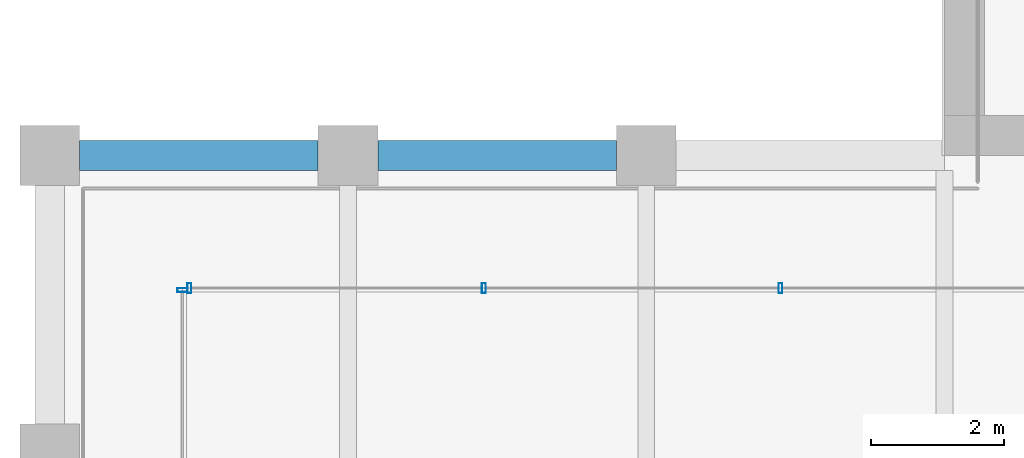
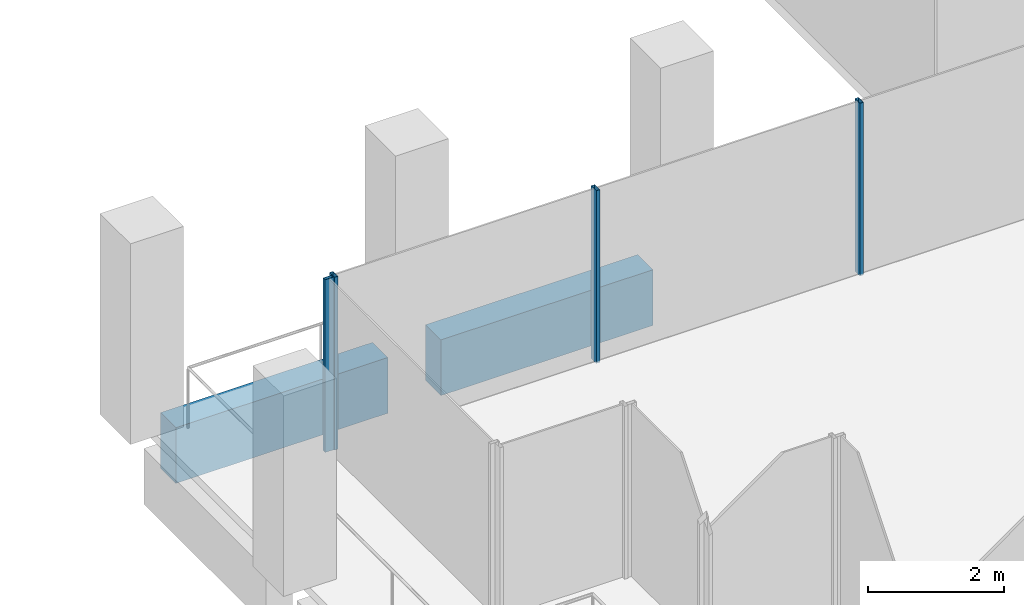
# One storey, part 5 of 40: 4 members, 2 beams, 2 elements without a shape of their own.
"""IFC4 building model written with IfcOpenShell, lengths in metres."""

from ifc_helpers import new_model, si_unit, direction, frame, origin, origin_2d, place, context, subcontext, project, spatial, rectangle, hollow_rectangle, extrude, material, material_profile, profile_set, type_object, element, aggregate, save


model = new_model("IFC4")

# Units and contexts
model_context = context("Model", 3, precision=1e-05, world=origin(), true_north=direction((0.0, 1.0)))
body_context = subcontext(model_context, "Body", "Model", "MODEL_VIEW")
ifc_project = project(units=[si_unit("LENGTHUNIT", "METRE"), si_unit("AREAUNIT", "SQUARE_METRE"), si_unit("VOLUMEUNIT", "CUBIC_METRE"), si_unit("PLANEANGLEUNIT", "RADIAN"), si_unit("MASSUNIT", "GRAM", prefix="KILO")], contexts=[model_context])

# Site, building, storey
site_placement = place(None, origin())
site = spatial("IfcSite", under=ifc_project, at=site_placement, CompositionType="ELEMENT")
building_placement = place(site_placement, origin())
building = spatial("IfcBuilding", under=site, at=building_placement, Name="Altepetl Exchange Towers", CompositionType="ELEMENT")
storey_placement = place(building_placement, frame((0.0, 0.0, 165.39990234375)))
storey = spatial("IfcBuildingStorey", under=building, at=storey_placement, Name="L41", CompositionType="ELEMENT", Elevation=165.39990234375)

# Curtain wall, members
ifc_material_1 = material(Name="Aluminium 6063-T6 glazing", Category="aluminium")
curtain_wall_type = type_object("IfcCurtainWallType", Name="Loggia glazing system", PredefinedType="NOTDEFINED", material=ifc_material_1)
curtain_wall_1_placement = place(storey_placement, origin())
curtain_wall_1 = element("IfcCurtainWall", 1, at=curtain_wall_1_placement, inside=storey, type_object=curtain_wall_type, Name="CW1 run", PredefinedType="NOTDEFINED")
ifc_material_2 = material(Name="Aluminium 6063-T6", Category="aluminium")
ifc_material_profile_1 = material_profile(ifc_material_2, hollow_rectangle(XDim=0.06005859375, YDim=0.14990234375, WallThickness=0.0029296875, at=origin_2d()), Name="Mullion 60x150 aluminium")
ifc_profile_set_1 = profile_set([ifc_material_profile_1], Name="Aluminium 6063-T6")
member_type = type_object("IfcMemberType", Name="Mullion 60x150 aluminium", PredefinedType="MULLION", material=ifc_profile_set_1)
member_1_placement = place(storey_placement, frame((38.02490234375, 38.5, 0.0), z_axis=(0.0, 0.0, 1.0), x_axis=(-1.0, 0.0, 0.0)))
member_1 = element("IfcMember", 2, at=member_1_placement, type_object=member_type, Name="MU1 mullion", PredefinedType="MULLION", context=body_context, shape_type="SweptSolid", body=[
    extrude(hollow_rectangle(XDim=0.06005859375, YDim=0.14990234375, WallThickness=0.0029296875, at=origin_2d()), origin(), (0.0, 0.0, 1.0), 3.10009765625),
])
member_2_placement = place(storey_placement, frame((33.550048828125, 38.5, 0.0), z_axis=(0.0, 0.0, 1.0), x_axis=(-1.0, 0.0, 0.0)))
member_2 = element("IfcMember", 3, at=member_2_placement, type_object=member_type, Name="MU1 mullion", PredefinedType="MULLION", context=body_context, shape_type="SweptSolid", body=[
    extrude(hollow_rectangle(XDim=0.06005859375, YDim=0.14990234375, WallThickness=0.0029296875, at=origin_2d()), origin(), (0.0, 0.0, 1.0), 3.10009765625),
])
member_3_placement = place(storey_placement, frame((29.10498046875, 38.5, 0.0), z_axis=(0.0, 0.0, 1.0), x_axis=(-1.0, 0.0, 0.0)))
member_3 = element("IfcMember", 4, at=member_3_placement, type_object=member_type, Name="MU1 mullion", PredefinedType="MULLION", context=body_context, shape_type="SweptSolid", body=[
    extrude(hollow_rectangle(XDim=0.06005859375, YDim=0.14990234375, WallThickness=0.0029296875, at=origin_2d()), origin(), (0.0, 0.0, 1.0), 3.10009765625),
])
aggregate(curtain_wall_1, [member_1, member_2, member_3])

# Curtain wall, member
curtain_wall_2_placement = place(storey_placement, origin())
curtain_wall_2 = element("IfcCurtainWall", 5, at=curtain_wall_2_placement, inside=storey, type_object=curtain_wall_type, Name="CW1 run", PredefinedType="NOTDEFINED")
member_4_placement = place(storey_placement, frame((29.0, 38.469970703125, 0.0), z_axis=(0.0, 0.0, 1.0), x_axis=(0.0, -1.0, 0.0)))
member_4 = element("IfcMember", 6, at=member_4_placement, type_object=member_type, Name="MU1 mullion", PredefinedType="MULLION", context=body_context, shape_type="SweptSolid", body=[
    extrude(hollow_rectangle(XDim=0.06005859375, YDim=0.14990234375, WallThickness=0.0029296875, at=origin_2d()), origin(), (0.0, 0.0, 1.0), 3.10009765625),
])
aggregate(curtain_wall_2, [member_4])

# Beams
ifc_material_3 = material(Name="Concrete C50/60 precast with tezontle facing", Category="concrete")
ifc_material_profile_2 = material_profile(ifc_material_3, rectangle(XDim=0.449951171875, YDim=1.0, at=origin_2d()), Name="450 x 1000")
ifc_profile_set_2 = profile_set([ifc_material_profile_2], Name="Concrete C50/60 precast with tezontle facing")
beam_type = type_object("IfcBeamType", Name="Spandrel beam 450x1000 tezontle", PredefinedType="SPANDREL", material=ifc_profile_set_2)
for number, where, z_axis, x_axis, name in (
    (7, (35.550048828125, 40.5, -0.64990234375), (-1.0, 0.0, 0.0), (0.0, -1.0, 0.0), "sp:A:L41:034"),
    (8, (31.050048828125, 40.5, -0.64990234375), (-1.0, 0.0, 0.0), (0.0, -1.0, 0.0), "sp:A:L41:035"),
):
    element("IfcBeam", number, at=place(storey_placement, frame(where, z_axis=z_axis, x_axis=x_axis)), inside=storey, type_object=beam_type, Name=name, PredefinedType="SPANDREL", context=body_context, shape_type="SweptSolid", body=[
        extrude(rectangle(XDim=0.449951171875, YDim=1.0, at=origin_2d()), origin(), (0.0, 0.0, 1.0), 3.60009765625),
    ])

save(model, "model.ifc")
